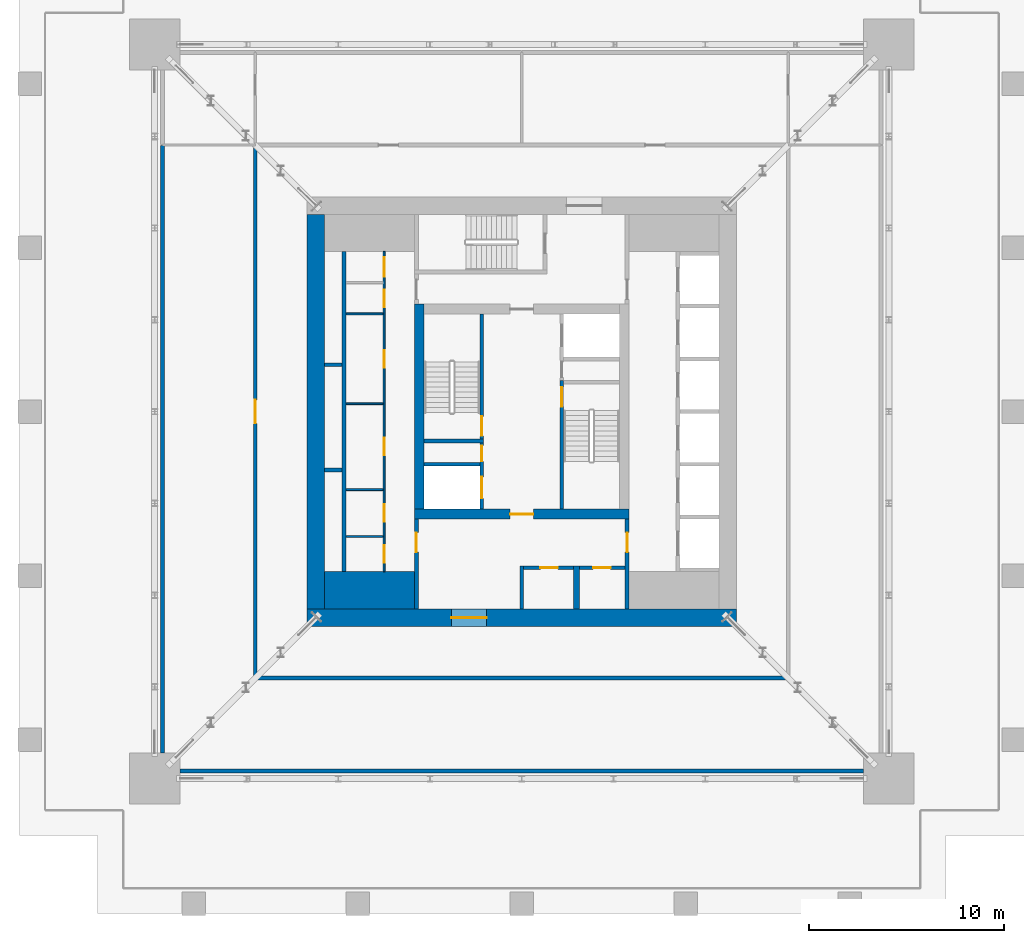
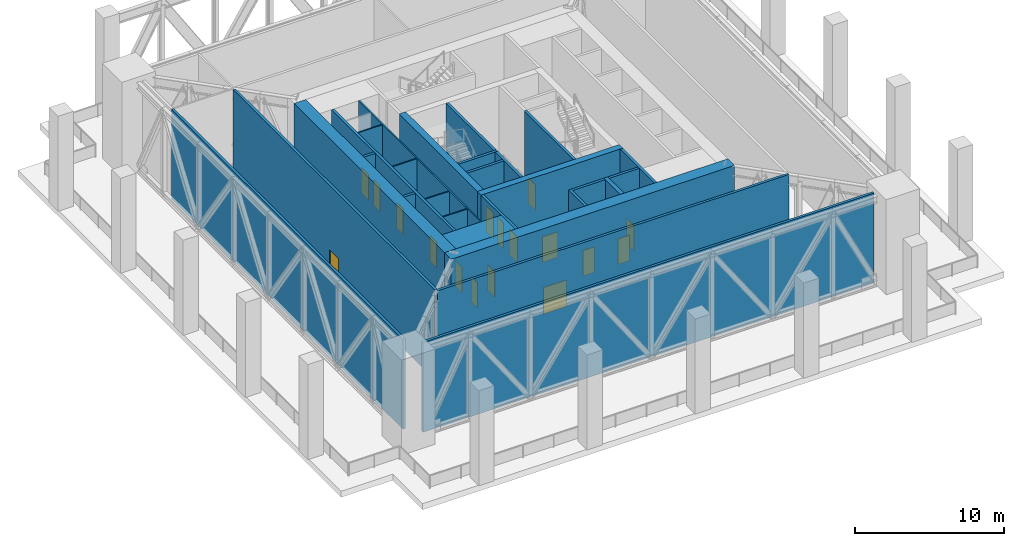
# One storey, part 10 of 17: 28 walls, 17 doors, 17 openings.
"""IFC4 building model written with IfcOpenShell, lengths in metres."""

from ifc_helpers import new_model, si_unit, direction, frame, frame_2d, origin, place, context, subcontext, project, spatial, rectangle, extrude, material, layer, layer_set, type_object, element, fill, save


model = new_model("IFC4")

# Units and contexts
model_context = context("Model", 3, precision=1e-05, world=origin(), true_north=direction((0.0, 1.0)))
body_context = subcontext(model_context, "Body", "Model", "MODEL_VIEW")
ifc_project = project(units=[si_unit("LENGTHUNIT", "METRE"), si_unit("AREAUNIT", "SQUARE_METRE"), si_unit("VOLUMEUNIT", "CUBIC_METRE"), si_unit("PLANEANGLEUNIT", "RADIAN"), si_unit("MASSUNIT", "GRAM", prefix="KILO")], contexts=[model_context])

# Site, building, storey
site_placement = place(None, origin())
site = spatial("IfcSite", under=ifc_project, at=site_placement, CompositionType="ELEMENT")
building_placement = place(site_placement, origin())
building = spatial("IfcBuilding", under=site, at=building_placement, Name="Khepri Terraces", CompositionType="ELEMENT")
storey_placement = place(building_placement, frame((0.0, 0.0, 180.60009765625)))
storey = spatial("IfcBuildingStorey", under=building, at=storey_placement, Name="L43", CompositionType="ELEMENT", Elevation=180.60009765625)

# Wall
ifc_material_1 = material(Name="Concrete C60/75", Category="concrete")
ifc_layer_1 = layer(ifc_material_1, 1.89990234375, Name="Concrete C60/75", Category="concrete")
ifc_layer_set_1 = layer_set([ifc_layer_1], Name="Concrete C60/75")
wall_type_1 = type_object("IfcWallType", Name="Core wall 1900 C60/75", PredefinedType="SHEAR", material=ifc_layer_set_1)
wall_1_placement = place(storey_placement, frame((-10.10009765625, -9.14990234375, 0.0), z_axis=(0.0, 0.0, 1.0), x_axis=(1.0, 0.0, 0.0)))
element("IfcWall", 1, at=wall_1_placement, inside=storey, type_object=wall_type_1, Name="Core wall PR01 L43", PredefinedType="SHEAR", context=body_context, shape_type="SweptSolid", body=[
    extrude(rectangle(XDim=4.60009765625, YDim=1.89990234375, at=frame_2d((2.300048828125, 0.0))), origin(), (0.0, 0.0, 1.0), 7.3798828125),
])

# Wall, opening, door
ifc_layer_2 = layer(ifc_material_1, 0.199951171875, Name="Concrete C60/75", Category="concrete")
ifc_layer_set_2 = layer_set([ifc_layer_2], Name="Concrete C60/75")
wall_type_2 = type_object("IfcWallType", Name="Core wall 200 C60/75", PredefinedType="SHEAR", material=ifc_layer_set_2)
wall_2_placement = place(storey_placement, frame((2.050048828125, -5.0, 0.0), z_axis=(0.0, 0.0, 1.0), x_axis=(0.0, 1.0, 0.0)))
wall_2 = element("IfcWall", 2, at=wall_2_placement, inside=storey, type_object=wall_type_2, Name="Core wall ST01 L43", PredefinedType="SHEAR", context=body_context, shape_type="SweptSolid", body=[
    extrude(rectangle(XDim=6.60009765625, YDim=0.199951171875, at=frame_2d((3.300048828125, 0.0))), origin(), (0.0, 0.0, 1.0), 7.3798828125),
])
opening_1_placement = place(wall_2_placement, frame((5.25, 0.0, 0.0)))
opening_1 = element("IfcOpeningElement", 3, at=opening_1_placement, cuts=wall_2, Name="Opening L43-C10", PredefinedType="OPENING", context=body_context, shape_type="SweptSolid", body=[
    extrude(rectangle(XDim=1.0, YDim=2.10009765625, at=frame_2d((0.5, 1.050048828125))), frame((0.0, 0.10986328125, 0.0), z_axis=(0.0, -1.0, 0.0), x_axis=(1.0, 0.0, 0.0)), (0.0, 0.0, 1.0), 0.219970703125),
])
ifc_material_2 = material(Name="Painted steel", Category="steel")
door_type_1 = type_object("IfcDoorType", Name="DR-CORE-STAIR-1000", OperationType="NOTDEFINED", PredefinedType="DOOR", material=ifc_material_2)
door_1_placement = place(opening_1_placement, frame((1.0, 0.0, 0.0), z_axis=(0.0, 0.0, 1.0), x_axis=(-1.0, 0.0, 0.0)))
door_1 = element("IfcDoor", 4, at=door_1_placement, inside=storey, type_object=door_type_1, Name="Stair door L43-C10", OperationType="SINGLE_SWING_LEFT", OverallHeight=2.10009765625, OverallWidth=1.0, PredefinedType="DOOR", context=body_context, shape_type="SweptSolid", body=[
    extrude(rectangle(XDim=1.0, YDim=2.10009765625, at=frame_2d((0.5, 1.050048828125))), frame((0.0, 0.02490234375, 0.0), z_axis=(0.0, -1.0, 0.0), x_axis=(1.0, 0.0, 0.0)), (0.0, 0.0, 1.0), 0.050048828125),
])
fill(opening_1, door_1)

# Wall
wall_3_placement = place(storey_placement, frame((-5.0, -1.5, 0.0), z_axis=(0.0, 0.0, 1.0), x_axis=(1.0, 0.0, 0.0)))
element("IfcWall", 5, at=wall_3_placement, inside=storey, type_object=wall_type_2, Name="Core wall ST02 L43", PredefinedType="SHEAR", context=body_context, shape_type="SweptSolid", body=[
    extrude(rectangle(XDim=3.050048828125, YDim=0.199951171875, at=frame_2d((1.52490234375, 0.0))), origin(), (0.0, 0.0, 1.0), 7.3798828125),
])

# Wall, opening, door
wall_4_placement = place(storey_placement, frame((-2.050048828125, -1.39990234375, 0.0), z_axis=(0.0, 0.0, 1.0), x_axis=(0.0, 1.0, 0.0)))
wall_4 = element("IfcWall", 6, at=wall_4_placement, inside=storey, type_object=wall_type_2, Name="Core wall ST03 L43", PredefinedType="SHEAR", context=body_context, shape_type="SweptSolid", body=[
    extrude(rectangle(XDim=6.39990234375, YDim=0.199951171875, at=frame_2d((3.199951171875, 0.0))), origin(), (0.0, 0.0, 1.0), 7.3798828125),
])
opening_2_placement = place(wall_4_placement, frame((0.14990234375, 0.0, 0.0)))
opening_2 = element("IfcOpeningElement", 7, at=opening_2_placement, cuts=wall_4, Name="Opening L43-C09", PredefinedType="OPENING", context=body_context, shape_type="SweptSolid", body=[
    extrude(rectangle(XDim=1.0, YDim=2.10009765625, at=frame_2d((0.5, 1.050048828125))), frame((0.0, 0.10986328125, 0.0), z_axis=(0.0, -1.0, 0.0), x_axis=(1.0, 0.0, 0.0)), (0.0, 0.0, 1.0), 0.219970703125),
])
door_2_placement = place(opening_2_placement, origin())
door_2 = element("IfcDoor", 8, at=door_2_placement, inside=storey, type_object=door_type_1, Name="Stair door L43-C09", OperationType="SINGLE_SWING_LEFT", OverallHeight=2.10009765625, OverallWidth=1.0, PredefinedType="DOOR", context=body_context, shape_type="SweptSolid", body=[
    extrude(rectangle(XDim=1.0, YDim=2.10009765625, at=frame_2d((0.5, 1.050048828125))), frame((0.0, 0.02490234375, 0.0), z_axis=(0.0, -1.0, 0.0), x_axis=(1.0, 0.0, 0.0)), (0.0, 0.0, 1.0), 0.050048828125),
])
fill(opening_2, door_2)

# Wall
wall_5_placement = place(storey_placement, frame((-9.10009765625, -8.199951171875, 0.0), z_axis=(0.0, 0.0, 1.0), x_axis=(0.0, 1.0, 0.0)))
element("IfcWall", 9, at=wall_5_placement, inside=storey, type_object=wall_type_2, Name="Core wall SH01 L43", PredefinedType="SHEAR", context=body_context, shape_type="SweptSolid", body=[
    extrude(rectangle(XDim=16.39990234375, YDim=0.199951171875, at=frame_2d((8.199951171875, 0.0))), origin(), (0.0, 0.0, 1.0), 7.3798828125),
])

# Wall, openings, doors
wall_6_placement = place(storey_placement, frame((-2.050048828125, -5.0, 0.0), z_axis=(0.0, 0.0, 1.0), x_axis=(0.0, 1.0, 0.0)))
wall_6 = element("IfcWall", 10, at=wall_6_placement, inside=storey, type_object=wall_type_2, Name="Core wall SH05 L43", PredefinedType="SHEAR", context=body_context, shape_type="SweptSolid", body=[
    extrude(rectangle(XDim=3.39990234375, YDim=0.199951171875, at=frame_2d((1.699951171875, 0.0))), origin(), (0.0, 0.0, 1.0), 7.3798828125),
])
opening_3_placement = place(wall_6_placement, frame((0.550048828125, 0.0, 0.0)))
opening_3 = element("IfcOpeningElement", 11, at=opening_3_placement, cuts=wall_6, Name="Opening L43-C08", PredefinedType="OPENING", context=body_context, shape_type="SweptSolid", body=[
    extrude(rectangle(XDim=1.10009765625, YDim=2.10009765625, at=frame_2d((0.550048828125, 1.050048828125))), frame((0.0, 0.10986328125, 0.0), z_axis=(0.0, -1.0, 0.0), x_axis=(1.0, 0.0, 0.0)), (0.0, 0.0, 1.0), 0.219970703125),
])
opening_4_placement = place(wall_6_placement, frame((2.449951171875, 0.0, 0.0)))
opening_4 = element("IfcOpeningElement", 12, at=opening_4_placement, cuts=wall_6, Name="Opening L43-C12", PredefinedType="OPENING", context=body_context, shape_type="SweptSolid", body=[
    extrude(rectangle(XDim=0.800048828125, YDim=2.10009765625, at=frame_2d((0.39990234375, 1.050048828125))), frame((0.0, 0.10986328125, 0.0), z_axis=(0.0, -1.0, 0.0), x_axis=(1.0, 0.0, 0.0)), (0.0, 0.0, 1.0), 0.219970703125),
])
ifc_material_3 = material(Name="Stainless steel 304", Category="steel")
door_type_2 = type_object("IfcDoorType", Name="DR-CORE-FF-LANDING-1100", OperationType="NOTDEFINED", PredefinedType="DOOR", material=ifc_material_3)
door_3_placement = place(opening_3_placement, origin())
door_3 = element("IfcDoor", 13, at=door_3_placement, inside=storey, type_object=door_type_2, Name="Firefighting lift landing door L43-C08", OperationType="SLIDING_TO_LEFT", OverallHeight=2.10009765625, OverallWidth=1.10009765625, PredefinedType="DOOR", context=body_context, shape_type="SweptSolid", body=[
    extrude(rectangle(XDim=1.10009765625, YDim=2.10009765625, at=frame_2d((0.550048828125, 1.050048828125))), frame((0.0, 0.02490234375, 0.0), z_axis=(0.0, -1.0, 0.0), x_axis=(1.0, 0.0, 0.0)), (0.0, 0.0, 1.0), 0.050048828125),
])
fill(opening_3, door_3)
door_type_3 = type_object("IfcDoorType", Name="DR-CORE-RISER-800", OperationType="NOTDEFINED", PredefinedType="DOOR", material=ifc_material_2)
door_4_placement = place(opening_4_placement, origin())
door_4 = element("IfcDoor", 14, at=door_4_placement, inside=storey, type_object=door_type_3, Name="Riser door L43-C12", OperationType="SINGLE_SWING_RIGHT", OverallHeight=2.10009765625, OverallWidth=0.800048828125, PredefinedType="DOOR", context=body_context, shape_type="SweptSolid", body=[
    extrude(rectangle(XDim=0.800048828125, YDim=2.10009765625, at=frame_2d((0.39990234375, 1.050048828125))), frame((0.0, 0.02490234375, 0.0), z_axis=(0.0, -1.0, 0.0), x_axis=(1.0, 0.0, 0.0)), (0.0, 0.0, 1.0), 0.050048828125),
])
fill(opening_4, door_4)

# Walls
wall_7_placement = place(storey_placement, frame((-10.10009765625, -3.0, 0.0), z_axis=(0.0, 0.0, 1.0), x_axis=(1.0, 0.0, 0.0)))
element("IfcWall", 15, at=wall_7_placement, inside=storey, type_object=wall_type_2, Name="Core wall SH06 L43", PredefinedType="SHEAR", context=body_context, shape_type="SweptSolid", body=[
    extrude(rectangle(XDim=0.900146484375, YDim=0.199951171875, at=frame_2d((0.4501953125, 0.0))), origin(), (0.0, 0.0, 1.0), 7.3798828125),
])
wall_8_placement = place(storey_placement, frame((-5.0, -2.699951171875, 0.0), z_axis=(0.0, 0.0, 1.0), x_axis=(1.0, 0.0, 0.0)))
element("IfcWall", 16, at=wall_8_placement, inside=storey, type_object=wall_type_2, Name="Core wall SH07 L43", PredefinedType="SHEAR", context=body_context, shape_type="SweptSolid", body=[
    extrude(rectangle(XDim=2.85009765625, YDim=0.199951171875, at=frame_2d((1.425048828125, 0.0))), origin(), (0.0, 0.0, 1.0), 7.3798828125),
])
wall_9_placement = place(storey_placement, frame((-10.10009765625, 2.39990234375, 0.0), z_axis=(0.0, 0.0, 1.0), x_axis=(1.0, 0.0, 0.0)))
element("IfcWall", 17, at=wall_9_placement, inside=storey, type_object=wall_type_2, Name="Core wall SH11 L43", PredefinedType="SHEAR", context=body_context, shape_type="SweptSolid", body=[
    extrude(rectangle(XDim=0.900146484375, YDim=0.199951171875, at=frame_2d((0.4501953125, 0.0))), origin(), (0.0, 0.0, 1.0), 7.3798828125),
])

# Wall, opening, door
ifc_layer_3 = layer(ifc_material_1, 0.5, Name="Concrete C60/75", Category="concrete")
ifc_layer_set_3 = layer_set([ifc_layer_3], Name="Concrete C60/75")
wall_type_3 = type_object("IfcWallType", Name="Core wall 500 C60/75", PredefinedType="SHEAR", material=ifc_layer_set_3)
wall_10_placement = place(storey_placement, frame((-5.5, -5.25, 0.0), z_axis=(0.0, 0.0, 1.0), x_axis=(1.0, 0.0, 0.0)))
wall_10 = element("IfcWall", 18, at=wall_10_placement, inside=storey, type_object=wall_type_3, Name="Core wall BX01 L43", PredefinedType="SHEAR", context=body_context, shape_type="SweptSolid", body=[
    extrude(rectangle(XDim=11.0, YDim=0.5, at=frame_2d((5.5, 0.0))), origin(), (0.0, 0.0, 1.0), 7.3798828125),
])
opening_5_placement = place(wall_10_placement, frame((4.89990234375, 0.0, 0.0)))
opening_5 = element("IfcOpeningElement", 19, at=opening_5_placement, cuts=wall_10, Name="Opening L43-C14", PredefinedType="OPENING", context=body_context, shape_type="SweptSolid", body=[
    extrude(rectangle(XDim=1.199951171875, YDim=2.10009765625, at=frame_2d((0.60009765625, 1.050048828125))), frame((0.0, 0.260009765625, 0.0), z_axis=(0.0, -1.0, 0.0), x_axis=(1.0, 0.0, 0.0)), (0.0, 0.0, 1.0), 0.52001953125),
])
door_type_4 = type_object("IfcDoorType", Name="DR-CORE-FF-LOBBY-1200", OperationType="NOTDEFINED", PredefinedType="DOOR", material=ifc_material_2)
door_5_placement = place(opening_5_placement, origin())
door_5 = element("IfcDoor", 20, at=door_5_placement, inside=storey, type_object=door_type_4, Name="Firefighting lobby door L43-C14", OperationType="SINGLE_SWING_RIGHT", OverallHeight=2.10009765625, OverallWidth=1.199951171875, PredefinedType="DOOR", context=body_context, shape_type="SweptSolid", body=[
    extrude(rectangle(XDim=1.199951171875, YDim=2.10009765625, at=frame_2d((0.60009765625, 1.050048828125))), frame((0.0, 0.02490234375, 0.0), z_axis=(0.0, -1.0, 0.0), x_axis=(1.0, 0.0, 0.0)), (0.0, 0.0, 1.0), 0.050048828125),
])
fill(opening_5, door_5)

# Wall
wall_11_placement = place(storey_placement, frame((-5.25, -5.0, 0.0), z_axis=(0.0, 0.0, 1.0), x_axis=(0.0, 1.0, 0.0)))
element("IfcWall", 21, at=wall_11_placement, inside=storey, type_object=wall_type_3, Name="Core wall BX02 L43", PredefinedType="SHEAR", context=body_context, shape_type="SweptSolid", body=[
    extrude(rectangle(XDim=10.5, YDim=0.5, at=frame_2d((5.25, 0.0))), origin(), (0.0, 0.0, 1.0), 7.3798828125),
])

# Wall, opening, door
ifc_layer_4 = layer(ifc_material_1, 0.89990234375, Name="Concrete C60/75", Category="concrete")
ifc_layer_set_4 = layer_set([ifc_layer_4], Name="Concrete C60/75")
wall_type_4 = type_object("IfcWallType", Name="Core wall 900 C60/75", PredefinedType="SHEAR", material=ifc_layer_set_4)
wall_12_placement = place(storey_placement, frame((-11.0, -10.550048828125, 0.0), z_axis=(0.0, 0.0, 1.0), x_axis=(1.0, 0.0, 0.0)))
wall_12 = element("IfcWall", 22, at=wall_12_placement, inside=storey, type_object=wall_type_4, Name="Core wall OW-S L43", PredefinedType="SHEAR", context=body_context, shape_type="SweptSolid", body=[
    extrude(rectangle(XDim=22.0, YDim=0.89990234375, at=frame_2d((11.0, 0.0))), origin(), (0.0, 0.0, 1.0), 7.3798828125),
])
opening_6_placement = place(wall_12_placement, frame((7.39990234375, 0.0, 0.0)))
opening_6 = element("IfcOpeningElement", 23, at=opening_6_placement, cuts=wall_12, Name="Opening L43-C21", PredefinedType="OPENING", context=body_context, shape_type="SweptSolid", body=[
    extrude(rectangle(XDim=1.800048828125, YDim=2.199951171875, at=frame_2d((0.89990234375, 1.10009765625))), frame((0.0, 0.4599609375, 0.0), z_axis=(0.0, -1.0, 0.0), x_axis=(1.0, 0.0, 0.0)), (0.0, 0.0, 1.0), 0.919921875),
])
door_type_5 = type_object("IfcDoorType", Name="DR-CORE-ENTRANCE-1800", OperationType="NOTDEFINED", PredefinedType="DOOR", material=ifc_material_2)
door_6_placement = place(opening_6_placement, frame((1.800048828125, 0.0, 0.0), z_axis=(0.0, 0.0, 1.0), x_axis=(-1.0, 0.0, 0.0)))
door_6 = element("IfcDoor", 24, at=door_6_placement, inside=storey, type_object=door_type_5, Name="Core entrance door pair L43-C21", OperationType="DOUBLE_DOOR_SINGLE_SWING", OverallHeight=2.199951171875, OverallWidth=1.800048828125, PredefinedType="DOOR", context=body_context, shape_type="SweptSolid", body=[
    extrude(rectangle(XDim=1.800048828125, YDim=2.199951171875, at=frame_2d((0.89990234375, 1.10009765625))), frame((0.0, 0.02490234375, 0.0), z_axis=(0.0, -1.0, 0.0), x_axis=(1.0, 0.0, 0.0)), (0.0, 0.0, 1.0), 0.050048828125),
])
fill(opening_6, door_6)

# Wall
wall_13_placement = place(storey_placement, frame((-10.550048828125, -10.10009765625, 0.0), z_axis=(0.0, 0.0, 1.0), x_axis=(0.0, 1.0, 0.0)))
element("IfcWall", 25, at=wall_13_placement, inside=storey, type_object=wall_type_4, Name="Core wall OW-W L43", PredefinedType="SHEAR", context=body_context, shape_type="SweptSolid", body=[
    extrude(rectangle(XDim=20.2001953125, YDim=0.89990234375, at=frame_2d((10.10009765625, 0.0))), origin(), (0.0, 0.0, 1.0), 7.3798828125),
])

# Wall, openings, doors
ifc_material_4 = material(Name="Fire-rated gypsum board partition")
ifc_layer_5 = layer(ifc_material_4, 0.10009765625, Name="Fire-rated gypsum board partition")
ifc_layer_set_5 = layer_set([ifc_layer_5], Name="Fire-rated gypsum board partition")
wall_type_5 = type_object("IfcWallType", Name="WL-CORE-PART-100", PredefinedType="PARTITIONING", material=ifc_layer_set_5)
wall_14_placement = place(storey_placement, frame((-7.050048828125, -8.199951171875, 0.0), z_axis=(0.0, 0.0, 1.0), x_axis=(0.0, 1.0, 0.0)))
wall_14 = element("IfcWall", 26, at=wall_14_placement, inside=storey, type_object=wall_type_5, Name="Core partition PT05 L43", PredefinedType="PARTITIONING", context=body_context, shape_type="SweptSolid", body=[
    extrude(rectangle(XDim=16.39990234375, YDim=0.10009765625, at=frame_2d((8.199951171875, 0.0))), origin(), (0.0, 0.0, 1.0), 7.3798828125),
])
opening_7_placement = place(wall_14_placement, frame((0.449951171875, 0.0, 0.0)))
opening_7 = element("IfcOpeningElement", 27, at=opening_7_placement, cuts=wall_14, Name="Opening L43-C24", PredefinedType="OPENING", context=body_context, shape_type="SweptSolid", body=[
    extrude(rectangle(XDim=0.89990234375, YDim=2.10009765625, at=frame_2d((0.449951171875, 1.050048828125))), frame((0.0, 0.06005859375, 0.0), z_axis=(0.0, -1.0, 0.0), x_axis=(1.0, 0.0, 0.0)), (0.0, 0.0, 1.0), 0.1201171875),
])
opening_8_placement = place(wall_14_placement, frame((2.550048828125, 0.0, 0.0)))
opening_8 = element("IfcOpeningElement", 28, at=opening_8_placement, cuts=wall_14, Name="Opening L43-C25", PredefinedType="OPENING", context=body_context, shape_type="SweptSolid", body=[
    extrude(rectangle(XDim=0.89990234375, YDim=2.10009765625, at=frame_2d((0.449951171875, 1.050048828125))), frame((0.0, 0.06005859375, 0.0), z_axis=(0.0, -1.0, 0.0), x_axis=(1.0, 0.0, 0.0)), (0.0, 0.0, 1.0), 0.1201171875),
])
opening_9_placement = place(wall_14_placement, frame((5.949951171875, 0.0, 0.0)))
opening_9 = element("IfcOpeningElement", 29, at=opening_9_placement, cuts=wall_14, Name="Opening L43-C26", PredefinedType="OPENING", context=body_context, shape_type="SweptSolid", body=[
    extrude(rectangle(XDim=0.89990234375, YDim=2.10009765625, at=frame_2d((0.449951171875, 1.050048828125))), frame((0.0, 0.06005859375, 0.0), z_axis=(0.0, -1.0, 0.0), x_axis=(1.0, 0.0, 0.0)), (0.0, 0.0, 1.0), 0.1201171875),
])
opening_10_placement = place(wall_14_placement, frame((10.449951171875, 0.0, 0.0)))
opening_10 = element("IfcOpeningElement", 30, at=opening_10_placement, cuts=wall_14, Name="Opening L43-C27", PredefinedType="OPENING", context=body_context, shape_type="SweptSolid", body=[
    extrude(rectangle(XDim=0.89990234375, YDim=2.10009765625, at=frame_2d((0.449951171875, 1.050048828125))), frame((0.0, 0.06005859375, 0.0), z_axis=(0.0, -1.0, 0.0), x_axis=(1.0, 0.0, 0.0)), (0.0, 0.0, 1.0), 0.1201171875),
])
opening_11_placement = place(wall_14_placement, frame((13.550048828125, 0.0, 0.0)))
opening_11 = element("IfcOpeningElement", 31, at=opening_11_placement, cuts=wall_14, Name="Opening L43-C28", PredefinedType="OPENING", context=body_context, shape_type="SweptSolid", body=[
    extrude(rectangle(XDim=0.89990234375, YDim=2.10009765625, at=frame_2d((0.449951171875, 1.050048828125))), frame((0.0, 0.06005859375, 0.0), z_axis=(0.0, -1.0, 0.0), x_axis=(1.0, 0.0, 0.0)), (0.0, 0.0, 1.0), 0.1201171875),
])
opening_12_placement = place(wall_14_placement, frame((15.10009765625, 0.0, 0.0)))
opening_12 = element("IfcOpeningElement", 32, at=opening_12_placement, cuts=wall_14, Name="Opening L43-C29", PredefinedType="OPENING", context=body_context, shape_type="SweptSolid", body=[
    extrude(rectangle(XDim=1.0, YDim=2.10009765625, at=frame_2d((0.5, 1.050048828125))), frame((0.0, 0.06005859375, 0.0), z_axis=(0.0, -1.0, 0.0), x_axis=(1.0, 0.0, 0.0)), (0.0, 0.0, 1.0), 0.1201171875),
])
door_type_6 = type_object("IfcDoorType", Name="DR-CORE-SERVICE-900", OperationType="NOTDEFINED", PredefinedType="DOOR", material=ifc_material_2)
door_7_placement = place(opening_7_placement, origin())
door_7 = element("IfcDoor", 33, at=door_7_placement, inside=storey, type_object=door_type_6, Name="Service room door L43-C24", OperationType="SINGLE_SWING_LEFT", OverallHeight=2.10009765625, OverallWidth=0.89990234375, PredefinedType="DOOR", context=body_context, shape_type="SweptSolid", body=[
    extrude(rectangle(XDim=0.89990234375, YDim=2.10009765625, at=frame_2d((0.449951171875, 1.050048828125))), frame((0.0, 0.02490234375, 0.0), z_axis=(0.0, -1.0, 0.0), x_axis=(1.0, 0.0, 0.0)), (0.0, 0.0, 1.0), 0.050048828125),
])
fill(opening_7, door_7)
door_8_placement = place(opening_8_placement, origin())
door_8 = element("IfcDoor", 34, at=door_8_placement, inside=storey, type_object=door_type_6, Name="Service room door L43-C25", OperationType="SINGLE_SWING_LEFT", OverallHeight=2.10009765625, OverallWidth=0.89990234375, PredefinedType="DOOR", context=body_context, shape_type="SweptSolid", body=[
    extrude(rectangle(XDim=0.89990234375, YDim=2.10009765625, at=frame_2d((0.449951171875, 1.050048828125))), frame((0.0, 0.02490234375, 0.0), z_axis=(0.0, -1.0, 0.0), x_axis=(1.0, 0.0, 0.0)), (0.0, 0.0, 1.0), 0.050048828125),
])
fill(opening_8, door_8)
door_9_placement = place(opening_9_placement, origin())
door_9 = element("IfcDoor", 35, at=door_9_placement, inside=storey, type_object=door_type_6, Name="Service room door L43-C26", OperationType="SINGLE_SWING_LEFT", OverallHeight=2.10009765625, OverallWidth=0.89990234375, PredefinedType="DOOR", context=body_context, shape_type="SweptSolid", body=[
    extrude(rectangle(XDim=0.89990234375, YDim=2.10009765625, at=frame_2d((0.449951171875, 1.050048828125))), frame((0.0, 0.02490234375, 0.0), z_axis=(0.0, -1.0, 0.0), x_axis=(1.0, 0.0, 0.0)), (0.0, 0.0, 1.0), 0.050048828125),
])
fill(opening_9, door_9)
door_10_placement = place(opening_10_placement, origin())
door_10 = element("IfcDoor", 36, at=door_10_placement, inside=storey, type_object=door_type_6, Name="Service room door L43-C27", OperationType="SINGLE_SWING_RIGHT", OverallHeight=2.10009765625, OverallWidth=0.89990234375, PredefinedType="DOOR", context=body_context, shape_type="SweptSolid", body=[
    extrude(rectangle(XDim=0.89990234375, YDim=2.10009765625, at=frame_2d((0.449951171875, 1.050048828125))), frame((0.0, 0.02490234375, 0.0), z_axis=(0.0, -1.0, 0.0), x_axis=(1.0, 0.0, 0.0)), (0.0, 0.0, 1.0), 0.050048828125),
])
fill(opening_10, door_10)
door_11_placement = place(opening_11_placement, origin())
door_11 = element("IfcDoor", 37, at=door_11_placement, inside=storey, type_object=door_type_6, Name="Service room door L43-C28", OperationType="SINGLE_SWING_RIGHT", OverallHeight=2.10009765625, OverallWidth=0.89990234375, PredefinedType="DOOR", context=body_context, shape_type="SweptSolid", body=[
    extrude(rectangle(XDim=0.89990234375, YDim=2.10009765625, at=frame_2d((0.449951171875, 1.050048828125))), frame((0.0, 0.02490234375, 0.0), z_axis=(0.0, -1.0, 0.0), x_axis=(1.0, 0.0, 0.0)), (0.0, 0.0, 1.0), 0.050048828125),
])
fill(opening_11, door_11)
ifc_material_5 = material(Name="Timber veneer", Category="wood")
door_type_7 = type_object("IfcDoorType", Name="DR-CORE-WC-1000", OperationType="NOTDEFINED", PredefinedType="DOOR", material=ifc_material_5)
door_12_placement = place(opening_12_placement, origin())
door_12 = element("IfcDoor", 38, at=door_12_placement, inside=storey, type_object=door_type_7, Name="WC door L43-C29", OperationType="SINGLE_SWING_RIGHT", OverallHeight=2.10009765625, OverallWidth=1.0, PredefinedType="DOOR", context=body_context, shape_type="SweptSolid", body=[
    extrude(rectangle(XDim=1.0, YDim=2.10009765625, at=frame_2d((0.5, 1.050048828125))), frame((0.0, 0.02490234375, 0.0), z_axis=(0.0, -1.0, 0.0), x_axis=(1.0, 0.0, 0.0)), (0.0, 0.0, 1.0), 0.050048828125),
])
fill(opening_12, door_12)

# Walls
for number, where, z_axis, x_axis, name in (
    (39, (-9.0, -6.39990234375, 0.0), (0.0, 0.0, 1.0), (1.0, 0.0, 0.0), "Core partition PT08 L43"),
    (40, (-9.0, -4.0, 0.0), (0.0, 0.0, 1.0), (1.0, 0.0, 0.0), "Core partition PT09 L43"),
    (41, (-9.0, 0.39990234375, 0.0), (0.0, 0.0, 1.0), (1.0, 0.0, 0.0), "Core partition PT10 L43"),
    (42, (-9.0, 5.0, 0.0), (0.0, 0.0, 1.0), (1.0, 0.0, 0.0), "Core partition PT11 L43"),
):
    element("IfcWall", number, at=place(storey_placement, frame(where, z_axis=z_axis, x_axis=x_axis)), inside=storey, type_object=wall_type_5, Name=name, PredefinedType="PARTITIONING", context=body_context, shape_type="SweptSolid", body=[
        extrude(rectangle(XDim=1.89990234375, YDim=0.10009765625, at=frame_2d((0.949951171875, 0.0))), origin(), (0.0, 0.0, 1.0), 7.3798828125),
    ])

# Wall, opening, door
ifc_layer_6 = layer(ifc_material_4, 0.199951171875, Name="Fire-rated gypsum board partition")
ifc_layer_set_6 = layer_set([ifc_layer_6], Name="Fire-rated gypsum board partition")
wall_type_6 = type_object("IfcWallType", Name="WL-CORE-PART-200", PredefinedType="PARTITIONING", material=ifc_layer_set_6)
wall_15_placement = place(storey_placement, frame((-5.39990234375, -10.10009765625, 0.0), z_axis=(0.0, 0.0, 1.0), x_axis=(0.0, 1.0, 0.0)))
wall_15 = element("IfcWall", 43, at=wall_15_placement, inside=storey, type_object=wall_type_6, Name="Core partition PT01 L43", PredefinedType="PARTITIONING", context=body_context, shape_type="SweptSolid", body=[
    extrude(rectangle(XDim=4.60009765625, YDim=0.199951171875, at=frame_2d((2.300048828125, 0.0))), origin(), (0.0, 0.0, 1.0), 7.3798828125),
])
opening_13_placement = place(wall_15_placement, frame((2.89990234375, 0.0, 0.0)))
opening_13 = element("IfcOpeningElement", 44, at=opening_13_placement, cuts=wall_15, Name="Opening L43-C18", PredefinedType="OPENING", context=body_context, shape_type="SweptSolid", body=[
    extrude(rectangle(XDim=1.0, YDim=2.10009765625, at=frame_2d((0.5, 1.050048828125))), frame((0.0, 0.10986328125, 0.0), z_axis=(0.0, -1.0, 0.0), x_axis=(1.0, 0.0, 0.0)), (0.0, 0.0, 1.0), 0.219970703125),
])
door_type_8 = type_object("IfcDoorType", Name="DR-CORE-LOBBY-1000", OperationType="NOTDEFINED", PredefinedType="DOOR", material=ifc_material_2)
door_13_placement = place(opening_13_placement, frame((1.0, 0.0, 0.0), z_axis=(0.0, 0.0, 1.0), x_axis=(-1.0, 0.0, 0.0)))
door_13 = element("IfcDoor", 45, at=door_13_placement, inside=storey, type_object=door_type_8, Name="Lobby door L43-C18", OperationType="SINGLE_SWING_LEFT", OverallHeight=2.10009765625, OverallWidth=1.0, PredefinedType="DOOR", context=body_context, shape_type="SweptSolid", body=[
    extrude(rectangle(XDim=1.0, YDim=2.10009765625, at=frame_2d((0.5, 1.050048828125))), frame((0.0, 0.02490234375, 0.0), z_axis=(0.0, -1.0, 0.0), x_axis=(1.0, 0.0, 0.0)), (0.0, 0.0, 1.0), 0.050048828125),
])
fill(opening_13, door_13)

# Wall
wall_16_placement = place(storey_placement, frame((0.0, -10.10009765625, 0.0), z_axis=(0.0, 0.0, 1.0), x_axis=(0.0, 1.0, 0.0)))
element("IfcWall", 46, at=wall_16_placement, inside=storey, type_object=wall_type_6, Name="Core partition PT02 L43", PredefinedType="PARTITIONING", context=body_context, shape_type="SweptSolid", body=[
    extrude(rectangle(XDim=2.2001953125, YDim=0.199951171875, at=frame_2d((1.10009765625, 0.0))), origin(), (0.0, 0.0, 1.0), 7.3798828125),
])

# Wall, opening, door
wall_17_placement = place(storey_placement, frame((5.39990234375, -10.10009765625, 0.0), z_axis=(0.0, 0.0, 1.0), x_axis=(0.0, 1.0, 0.0)))
wall_17 = element("IfcWall", 47, at=wall_17_placement, inside=storey, type_object=wall_type_6, Name="Core partition PT04 L43", PredefinedType="PARTITIONING", context=body_context, shape_type="SweptSolid", body=[
    extrude(rectangle(XDim=4.60009765625, YDim=0.199951171875, at=frame_2d((2.300048828125, 0.0))), origin(), (0.0, 0.0, 1.0), 7.3798828125),
])
opening_14_placement = place(wall_17_placement, frame((2.89990234375, 0.0, 0.0)))
opening_14 = element("IfcOpeningElement", 48, at=opening_14_placement, cuts=wall_17, Name="Opening L43-C19", PredefinedType="OPENING", context=body_context, shape_type="SweptSolid", body=[
    extrude(rectangle(XDim=1.0, YDim=2.10009765625, at=frame_2d((0.5, 1.050048828125))), frame((0.0, 0.10986328125, 0.0), z_axis=(0.0, -1.0, 0.0), x_axis=(1.0, 0.0, 0.0)), (0.0, 0.0, 1.0), 0.219970703125),
])
door_14_placement = place(opening_14_placement, origin())
door_14 = element("IfcDoor", 49, at=door_14_placement, inside=storey, type_object=door_type_8, Name="Lobby door L43-C19", OperationType="SINGLE_SWING_RIGHT", OverallHeight=2.10009765625, OverallWidth=1.0, PredefinedType="DOOR", context=body_context, shape_type="SweptSolid", body=[
    extrude(rectangle(XDim=1.0, YDim=2.10009765625, at=frame_2d((0.5, 1.050048828125))), frame((0.0, 0.02490234375, 0.0), z_axis=(0.0, -1.0, 0.0), x_axis=(1.0, 0.0, 0.0)), (0.0, 0.0, 1.0), 0.050048828125),
])
fill(opening_14, door_14)

wall_18_placement = place(storey_placement, frame((0.10009765625, -8.0, 0.0), z_axis=(0.0, 0.0, 1.0), x_axis=(1.0, 0.0, 0.0)))
wall_18 = element("IfcWall", 50, at=wall_18_placement, inside=storey, type_object=wall_type_6, Name="Core partition PT06 L43", PredefinedType="PARTITIONING", context=body_context, shape_type="SweptSolid", body=[
    extrude(rectangle(XDim=2.5498046875, YDim=0.199951171875, at=frame_2d((1.27490234375, 0.0))), origin(), (0.0, 0.0, 1.0), 7.3798828125),
])
opening_15_placement = place(wall_18_placement, frame((0.85009765625, 0.0, 0.0)))
opening_15 = element("IfcOpeningElement", 51, at=opening_15_placement, cuts=wall_18, Name="Opening L43-C22", PredefinedType="OPENING", context=body_context, shape_type="SweptSolid", body=[
    extrude(rectangle(XDim=0.89990234375, YDim=2.10009765625, at=frame_2d((0.449951171875, 1.050048828125))), frame((0.0, 0.10986328125, 0.0), z_axis=(0.0, -1.0, 0.0), x_axis=(1.0, 0.0, 0.0)), (0.0, 0.0, 1.0), 0.219970703125),
])
door_15_placement = place(opening_15_placement, frame((0.89990234375, 0.0, 0.0), z_axis=(0.0, 0.0, 1.0), x_axis=(-1.0, 0.0, 0.0)))
door_15 = element("IfcDoor", 52, at=door_15_placement, inside=storey, type_object=door_type_6, Name="Service room door L43-C22", OperationType="SINGLE_SWING_LEFT", OverallHeight=2.10009765625, OverallWidth=0.89990234375, PredefinedType="DOOR", context=body_context, shape_type="SweptSolid", body=[
    extrude(rectangle(XDim=0.89990234375, YDim=2.10009765625, at=frame_2d((0.449951171875, 1.050048828125))), frame((0.0, 0.02490234375, 0.0), z_axis=(0.0, -1.0, 0.0), x_axis=(1.0, 0.0, 0.0)), (0.0, 0.0, 1.0), 0.050048828125),
])
fill(opening_15, door_15)

wall_19_placement = place(storey_placement, frame((2.949951171875, -8.0, 0.0), z_axis=(0.0, 0.0, 1.0), x_axis=(1.0, 0.0, 0.0)))
wall_19 = element("IfcWall", 53, at=wall_19_placement, inside=storey, type_object=wall_type_6, Name="Core partition PT07 L43", PredefinedType="PARTITIONING", context=body_context, shape_type="SweptSolid", body=[
    extrude(rectangle(XDim=2.35009765625, YDim=0.199951171875, at=frame_2d((1.175048828125, 0.0))), origin(), (0.0, 0.0, 1.0), 7.3798828125),
])
opening_16_placement = place(wall_19_placement, frame((0.699951171875, 0.0, 0.0)))
opening_16 = element("IfcOpeningElement", 54, at=opening_16_placement, cuts=wall_19, Name="Opening L43-C23", PredefinedType="OPENING", context=body_context, shape_type="SweptSolid", body=[
    extrude(rectangle(XDim=0.89990234375, YDim=2.10009765625, at=frame_2d((0.449951171875, 1.050048828125))), frame((0.0, 0.10986328125, 0.0), z_axis=(0.0, -1.0, 0.0), x_axis=(1.0, 0.0, 0.0)), (0.0, 0.0, 1.0), 0.219970703125),
])
door_16_placement = place(opening_16_placement, frame((0.89990234375, 0.0, 0.0), z_axis=(0.0, 0.0, 1.0), x_axis=(-1.0, 0.0, 0.0)))
door_16 = element("IfcDoor", 55, at=door_16_placement, inside=storey, type_object=door_type_6, Name="Service room door L43-C23", OperationType="SINGLE_SWING_RIGHT", OverallHeight=2.10009765625, OverallWidth=0.89990234375, PredefinedType="DOOR", context=body_context, shape_type="SweptSolid", body=[
    extrude(rectangle(XDim=0.89990234375, YDim=2.10009765625, at=frame_2d((0.449951171875, 1.050048828125))), frame((0.0, 0.02490234375, 0.0), z_axis=(0.0, -1.0, 0.0), x_axis=(1.0, 0.0, 0.0)), (0.0, 0.0, 1.0), 0.050048828125),
])
fill(opening_16, door_16)

# Walls
ifc_layer_7 = layer(ifc_material_4, 0.300048828125, Name="Fire-rated gypsum board partition")
ifc_layer_set_7 = layer_set([ifc_layer_7], Name="Fire-rated gypsum board partition")
wall_type_7 = type_object("IfcWallType", Name="WL-CORE-PART-300", PredefinedType="PARTITIONING", material=ifc_layer_set_7)
wall_20_placement = place(storey_placement, frame((2.800048828125, -10.10009765625, 0.0), z_axis=(0.0, 0.0, 1.0), x_axis=(0.0, 1.0, 0.0)))
element("IfcWall", 56, at=wall_20_placement, inside=storey, type_object=wall_type_7, Name="Core partition PT03 L43", PredefinedType="PARTITIONING", context=body_context, shape_type="SweptSolid", body=[
    extrude(rectangle(XDim=2.2001953125, YDim=0.300048828125, at=frame_2d((1.10009765625, 0.0))), origin(), (0.0, 0.0, 1.0), 7.3798828125),
])
ifc_material_6 = material(Name="Fire-rated gypsum plasterboard partition, mineral wool")
ifc_layer_8 = layer(ifc_material_6, 0.199951171875, Name="Fire-rated gypsum plasterboard partition, mineral wool")
ifc_layer_set_8 = layer_set([ifc_layer_8], Name="Fire-rated gypsum plasterboard partition, mineral wool")
wall_type_8 = type_object("IfcWallType", Name="WL-CORR-200", PredefinedType="PARTITIONING", material=ifc_layer_set_8)
wall_21_placement = place(storey_placement, frame((-17.5, -18.39990234375, 0.0), z_axis=(0.0, 0.0, 1.0), x_axis=(1.0, 0.0, 0.0)))
element("IfcWall", 57, at=wall_21_placement, inside=storey, type_object=wall_type_8, Name="Partition P-001 L43", PredefinedType="PARTITIONING", context=body_context, shape_type="SweptSolid", body=[
    extrude(rectangle(XDim=35.0, YDim=0.199951171875, at=frame_2d((17.5, 0.0))), origin(), (0.0, 0.0, 1.0), 7.3798828125),
])
wall_22_placement = place(storey_placement, frame((-18.39990234375, -17.5, 0.0), z_axis=(0.0, 0.0, 1.0), x_axis=(0.0, 1.0, 0.0)))
element("IfcWall", 58, at=wall_22_placement, inside=storey, type_object=wall_type_8, Name="Partition P-002 L43", PredefinedType="PARTITIONING", context=body_context, shape_type="SweptSolid", body=[
    extrude(rectangle(XDim=31.1298828125, YDim=0.199951171875, at=frame_2d((15.56494140625, 0.0))), origin(), (0.0, 0.0, 1.0), 7.3798828125),
])
wall_23_placement = place(storey_placement, frame((-13.64990234375, -13.64990234375, 0.0), z_axis=(0.0, 0.0, 1.0), x_axis=(1.0, 0.0, 0.0)))
element("IfcWall", 59, at=wall_23_placement, inside=storey, type_object=wall_type_8, Name="Partition P-004 L43", PredefinedType="PARTITIONING", context=body_context, shape_type="SweptSolid", body=[
    extrude(rectangle(XDim=27.2998046875, YDim=0.199951171875, at=frame_2d((13.64990234375, 0.0))), origin(), (0.0, 0.0, 1.0), 7.3798828125),
])

# Wall, opening, door
wall_24_placement = place(storey_placement, frame((-13.64990234375, -13.550048828125, 0.0), z_axis=(0.0, 0.0, 1.0), x_axis=(0.0, 1.0, 0.0)))
wall_24 = element("IfcWall", 60, at=wall_24_placement, inside=storey, type_object=wall_type_8, Name="Partition P-005 L43", PredefinedType="PARTITIONING", context=body_context, shape_type="SweptSolid", body=[
    extrude(rectangle(XDim=27.10009765625, YDim=0.199951171875, at=frame_2d((13.550048828125, 0.0))), origin(), (0.0, 0.0, 1.0), 7.3798828125),
])
opening_17_placement = place(wall_24_placement, frame((12.949951171875, 0.0, 0.0)))
opening_17 = element("IfcOpeningElement", 61, at=opening_17_placement, cuts=wall_24, Name="Opening D6", PredefinedType="OPENING", context=body_context, shape_type="SweptSolid", body=[
    extrude(rectangle(XDim=1.199951171875, YDim=2.10009765625, at=frame_2d((0.60009765625, 1.050048828125))), frame((0.0, 0.10986328125, 0.0), z_axis=(0.0, -1.0, 0.0), x_axis=(1.0, 0.0, 0.0)), (0.0, 0.0, 1.0), 0.219970703125),
])
ifc_material_7 = material(Name="Timber door leaf, public room, fire-rated", Category="wood")
door_type_9 = type_object("IfcDoorType", Name="DR-PUB-1200", OperationType="NOTDEFINED", PredefinedType="DOOR", material=ifc_material_7)
door_17_placement = place(opening_17_placement, origin())
door_17 = element("IfcDoor", 62, at=door_17_placement, inside=storey, type_object=door_type_9, Name="Door Refuge Area", OperationType="SINGLE_SWING_RIGHT", OverallHeight=2.10009765625, OverallWidth=1.199951171875, PredefinedType="DOOR", context=body_context, shape_type="SweptSolid", body=[
    extrude(rectangle(XDim=1.199951171875, YDim=2.10009765625, at=frame_2d((0.60009765625, 1.050048828125))), frame((0.0, 0.02490234375, 0.0), z_axis=(0.0, -1.0, 0.0), x_axis=(1.0, 0.0, 0.0)), (0.0, 0.0, 1.0), 0.050048828125),
])
fill(opening_17, door_17)

save(model, "model.ifc")
